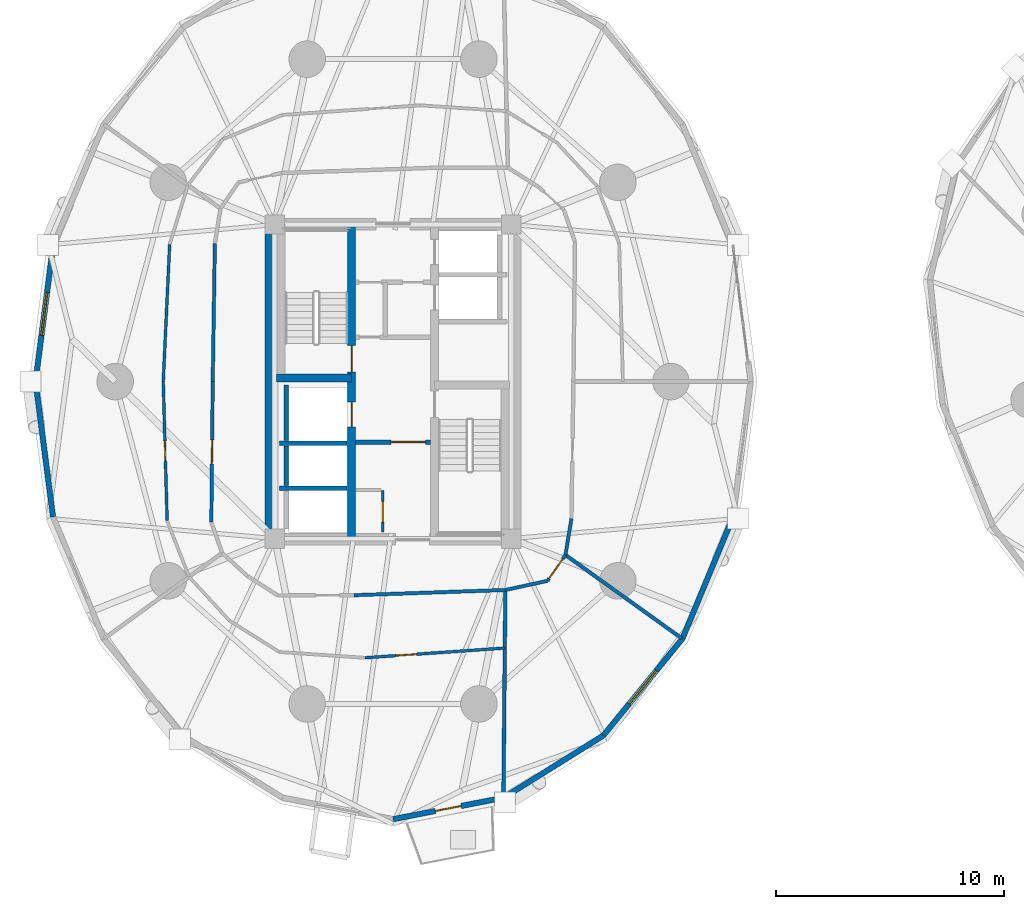
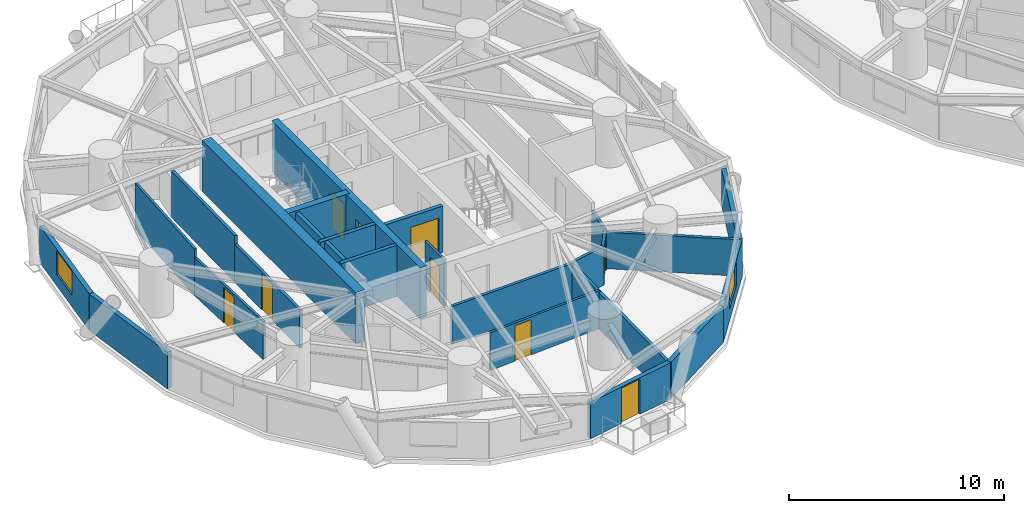
# One storey, part 10 of 18: 26 walls, 9 doors, 2 windows, 11 openings.
"""IFC4 building model written with IfcOpenShell, lengths in metres."""

from ifc_helpers import new_model, si_unit, direction, frame, frame_2d, origin, place, context, subcontext, project, spatial, rectangle, extrude, source, transform, mapped, material, layer, layer_set, type_object, element, fill, save


model = new_model("IFC4")

# Units and contexts
model_context = context("Model", 3, precision=1e-05, world=origin(), true_north=direction((0.0, 1.0)))
body_context = subcontext(model_context, "Body", "Model", "MODEL_VIEW")
ifc_project = project(units=[si_unit("LENGTHUNIT", "METRE"), si_unit("AREAUNIT", "SQUARE_METRE"), si_unit("VOLUMEUNIT", "CUBIC_METRE"), si_unit("PLANEANGLEUNIT", "RADIAN"), si_unit("MASSUNIT", "GRAM", prefix="KILO")], contexts=[model_context])

# Site, building, storey
site_placement = place(None, origin())
site = spatial("IfcSite", under=ifc_project, at=site_placement, CompositionType="ELEMENT")
building_placement = place(site_placement, origin())
building = spatial("IfcBuilding", under=site, at=building_placement, Name="Cununo Teusaquillo Station Towers", CompositionType="ELEMENT")
storey_placement = place(building_placement, frame((0.0, 0.0, 56.919921875)))
storey = spatial("IfcBuildingStorey", under=building, at=storey_placement, Name="L17", CompositionType="ELEMENT", Elevation=56.919921875)

# Walls
ifc_material_1 = material(Name="Concrete C50/60", Category="concrete")
ifc_layer_1 = layer(ifc_material_1, 0.199951171875)
ifc_layer_set_1 = layer_set([ifc_layer_1], Name="Concrete C50/60")
wall_type_1 = type_object("IfcWallType", Name="WL-CORE-200", PredefinedType="SHEAR", material=ifc_layer_set_1)
wall_1_placement = place(storey_placement, frame((11.52001953125, 21.800048828125, 0.0), z_axis=(0.0, 0.0, 1.0), x_axis=(1.0, 0.0, 0.0)))
element("IfcWall", 1, at=wall_1_placement, inside=storey, type_object=wall_type_1, Name="L17 Tower A Firefighting Lift Shaft South Shear Wall", PredefinedType="SHEAR", context=body_context, shape_type="SweptSolid", body=[
    extrude(rectangle(XDim=2.969970703125, YDim=0.199951171875, at=frame_2d((1.48486328125, 0.0))), origin(), (0.0, 0.0, 1.0), 2.91015625),
])
wall_2_placement = place(storey_placement, frame((11.820068359375, 21.919921875, 0.0), z_axis=(0.0, 0.0, 1.0), x_axis=(0.0, 1.0, 0.0)))
element("IfcWall", 2, at=wall_2_placement, inside=storey, type_object=wall_type_1, Name="L17 Tower A Firefighting Lift Shaft Rear Shear Wall", PredefinedType="SHEAR", context=body_context, shape_type="SweptSolid", body=[
    extrude(rectangle(XDim=2.440185546875, YDim=0.199951171875, at=frame_2d((1.22021484375, 0.0))), origin(), (0.0, 0.0, 1.0), 2.91015625),
])
wall_3_placement = place(storey_placement, frame((11.52001953125, 19.824951171875, 0.0), z_axis=(0.0, 0.0, 1.0), x_axis=(1.0, 0.0, 0.0)))
element("IfcWall", 3, at=wall_3_placement, inside=storey, type_object=wall_type_1, Name="L17 Tower A High-Rise Lift Hoistway Divider Shear Wall", PredefinedType="SHEAR", context=body_context, shape_type="SweptSolid", body=[
    extrude(rectangle(XDim=2.969970703125, YDim=0.199951171875, at=frame_2d((1.48486328125, 0.0))), origin(), (0.0, 0.0, 1.0), 2.91015625),
])
wall_4_placement = place(storey_placement, frame((11.820068359375, 19.945068359375, 0.0), z_axis=(0.0, 0.0, 1.0), x_axis=(0.0, 1.0, 0.0)))
element("IfcWall", 4, at=wall_4_placement, inside=storey, type_object=wall_type_1, Name="L17 Tower A High-Rise Lift 2 Shaft Rear Shear Wall", PredefinedType="SHEAR", context=body_context, shape_type="SweptSolid", body=[
    extrude(rectangle(XDim=1.73486328125, YDim=0.199951171875, at=frame_2d((0.867431640625, 0.0))), origin(), (0.0, 0.0, 1.0), 2.91015625),
])

# Wall, openings, doors
ifc_material_2 = material(Name="Concrete C50/60", Category="concrete")
ifc_layer_2 = layer(ifc_material_2, 0.35009765625)
ifc_layer_set_2 = layer_set([ifc_layer_2], Name="Concrete C50/60")
wall_type_2 = type_object("IfcWallType", Name="WL-CORE-350", PredefinedType="SHEAR", material=ifc_layer_set_2)
wall_5_placement = place(storey_placement, frame((14.68505859375, 17.60009765625, 0.0), z_axis=(0.0, 0.0, 1.0), x_axis=(0.0, 1.0, 0.0)))
wall_5 = element("IfcWall", 5, at=wall_5_placement, inside=storey, type_object=wall_type_2, Name="L17 Tower A Core Shear Wall IW", PredefinedType="SHEAR", context=body_context, shape_type="SweptSolid", body=[
    extrude(rectangle(XDim=13.7998046875, YDim=0.35009765625, at=frame_2d((6.89990234375, 0.0))), origin(), (0.0, 0.0, 1.0), 2.91015625),
])
shared_shape_1 = source(origin(), body_context, "Body", "SweptSolid", [
    extrude(rectangle(XDim=1.10009765625, YDim=2.014892578125, at=frame_2d((0.550048828125, 1.00732421875))), frame((0.0, 0.18505859375, 0.0), z_axis=(0.0, -1.0, 0.0), x_axis=(1.0, 0.0, 0.0)), (0.0, 0.0, 1.0), 0.3701171875),
])
opening_1_placement = place(wall_5_placement, frame((4.89990234375, 0.0, 0.0)))
opening_1 = element("IfcOpeningElement", 6, at=opening_1_placement, cuts=wall_5, Name="Opening LD-01", PredefinedType="OPENING", context=body_context, shape_type="MappedRepresentation", body=[
    mapped(shared_shape_1, transform((0.0, 0.0, 0.0), x_axis=(1.0, 0.0, 0.0), y_axis=(0.0, 1.0, 0.0), z_axis=(0.0, 0.0, 1.0), scale=1.0)),
])
shared_shape_2 = source(origin(), body_context, "Body", "SweptSolid", [
    extrude(rectangle(XDim=1.14990234375, YDim=2.02001953125, at=frame_2d((0.574951171875, 1.010009765625))), frame((0.0, 0.18505859375, 0.0), z_axis=(0.0, -1.0, 0.0), x_axis=(1.0, 0.0, 0.0)), (0.0, 0.0, 1.0), 0.3701171875),
])
opening_2_placement = place(wall_5_placement, frame((7.320068359375, 0.0, 0.0)))
opening_2 = element("IfcOpeningElement", 7, at=opening_2_placement, cuts=wall_5, Name="Opening D-ST1", PredefinedType="OPENING", context=body_context, shape_type="MappedRepresentation", body=[
    mapped(shared_shape_2, transform((0.0, 0.0, 0.0), x_axis=(1.0, 0.0, 0.0), y_axis=(0.0, 1.0, 0.0), z_axis=(0.0, 0.0, 1.0), scale=1.0)),
])
ifc_material_3 = material(Name="Galvanised fire-rated hollow steel door assembly", Category="steel")
door_type_1 = type_object("IfcDoorType", Name="DR-LIFT-1100", OperationType="SLIDING_TO_LEFT", PredefinedType="DOOR", material=ifc_material_3)
shared_shape_3 = source(origin(), body_context, "Body", "SweptSolid", [
    extrude(rectangle(XDim=1.10009765625, YDim=2.014892578125, at=frame_2d((0.550048828125, 1.00732421875))), frame((0.0, 0.02490234375, 0.0), z_axis=(0.0, -1.0, 0.0), x_axis=(1.0, 0.0, 0.0)), (0.0, 0.0, 1.0), 0.050048828125),
])
door_1_placement = place(opening_1_placement, origin())
door_1 = element("IfcDoor", 8, at=door_1_placement, inside=storey, type_object=door_type_1, Name="L17 Lift FL-T1 Sliding Landing Door", OperationType="SLIDING_TO_RIGHT", OverallHeight=2.014892578125, OverallWidth=1.10009765625, PredefinedType="DOOR", context=body_context, shape_type="MappedRepresentation", body=[
    mapped(shared_shape_3, transform((0.0, 0.0, 0.0), x_axis=(1.0, 0.0, 0.0), y_axis=(0.0, 1.0, 0.0), z_axis=(0.0, 0.0, 1.0), scale=1.0)),
])
fill(opening_1, door_1)
ifc_material_4 = material(Name="Galvanised fire-rated hollow steel door assembly", Category="steel")
door_type_2 = type_object("IfcDoorType", Name="DR-STAIR-1150", OperationType="NOTDEFINED", PredefinedType="DOOR", material=ifc_material_4)
shared_shape_4 = source(origin(), body_context, "Body", "SweptSolid", [
    extrude(rectangle(XDim=1.14990234375, YDim=2.02001953125, at=frame_2d((0.574951171875, 1.010009765625))), frame((0.0, 0.02490234375, 0.0), z_axis=(0.0, -1.0, 0.0), x_axis=(1.0, 0.0, 0.0)), (0.0, 0.0, 1.0), 0.050048828125),
])
door_2_placement = place(opening_2_placement, origin())
door_2 = element("IfcDoor", 9, at=door_2_placement, inside=storey, type_object=door_type_2, Name="L17 Tower A Exit Stair 1 Fire Door", OperationType="SINGLE_SWING_RIGHT", OverallHeight=2.02001953125, OverallWidth=1.14990234375, PredefinedType="DOOR", context=body_context, shape_type="MappedRepresentation", body=[
    mapped(shared_shape_4, transform((0.0, 0.0, 0.0), x_axis=(1.0, 0.0, 0.0), y_axis=(0.0, 1.0, 0.0), z_axis=(0.0, 0.0, 1.0), scale=1.0)),
])
fill(opening_2, door_2)

# Walls
wall_6_placement = place(storey_placement, frame((11.39990234375, 24.655029296875, 0.0), z_axis=(0.0, 0.0, 1.0), x_axis=(1.0, 0.0, 0.0)))
element("IfcWall", 10, at=wall_6_placement, inside=storey, type_object=wall_type_2, Name="L17 Tower A Core Shear Wall ST1S", PredefinedType="SHEAR", context=body_context, shape_type="SweptSolid", body=[
    extrude(rectangle(XDim=3.28515625, YDim=0.35009765625, at=frame_2d((1.642578125, 0.0))), origin(), (0.0, 0.0, 1.0), 2.91015625),
])
ifc_material_5 = material(Name="Concrete C60/75", Category="concrete")
ifc_layer_3 = layer(ifc_material_5, 0.5)
ifc_layer_set_3 = layer_set([ifc_layer_3], Name="Concrete C60/75")
wall_type_3 = type_object("IfcWallType", Name="WL-CORE-500", PredefinedType="SHEAR", material=ifc_layer_set_3)
wall_7_placement = place(storey_placement, frame((11.14990234375, 17.35009765625, 0.0), z_axis=(0.0, 0.0, 1.0), x_axis=(0.0, 1.0, 0.0)))
element("IfcWall", 11, at=wall_7_placement, inside=storey, type_object=wall_type_3, Name="L17 Tower A Core Shear Wall W", PredefinedType="SHEAR", context=body_context, shape_type="SweptSolid", body=[
    extrude(rectangle(XDim=14.2998046875, YDim=0.5, at=frame_2d((7.14990234375, 0.0))), origin(), (0.0, 0.0, 1.0), 2.91015625),
])

# Wall, opening, window
ifc_material_6 = material(Name="Precast concrete C40/50", Category="concrete")
ifc_layer_4 = layer(ifc_material_6, 0.239990234375)
ifc_layer_set_4 = layer_set([ifc_layer_4], Name="Precast concrete C40/50")
wall_type_4 = type_object("IfcWallType", Name="WL-EXT-240", PredefinedType="SOLIDWALL", material=ifc_layer_set_4)
wall_8_placement = place(storey_placement, frame((0.8369140625, 24.5, 0.0), z_axis=(0.0, 0.0, 1.0), x_axis=(0.128339641463, 0.991730274031, 0.0)))
wall_8 = element("IfcWall", 12, at=wall_8_placement, inside=storey, type_object=wall_type_4, Name="L17 Tower A Exterior Facade Wall C09", PredefinedType="SOLIDWALL", context=body_context, shape_type="SweptSolid", body=[
    extrude(rectangle(XDim=5.97314453125, YDim=0.239990234375, at=frame_2d((2.986572265625, 0.0))), origin(), (0.0, 0.0, 1.0), 2.072998046875),
])
shared_shape_5 = source(origin(), body_context, "Body", "SweptSolid", [
    extrude(rectangle(XDim=1.89990234375, YDim=1.35009765625, at=frame_2d((0.949951171875, 0.675048828125))), frame((0.0, 0.1298828125, 0.0), z_axis=(0.0, -1.0, 0.0), x_axis=(1.0, 0.0, 0.0)), (0.0, 0.0, 1.0), 0.260009765625),
])
opening_3_placement = place(wall_8_placement, frame((2.037109375, 0.0, 0.64990234375)))
opening_3 = element("IfcOpeningElement", 13, at=opening_3_placement, cuts=wall_8, Name="Opening WN-02", PredefinedType="OPENING", context=body_context, shape_type="MappedRepresentation", body=[
    mapped(shared_shape_5, transform((0.0, 0.0, 0.0), x_axis=(1.0, 0.0, 0.0), y_axis=(0.0, 1.0, 0.0), z_axis=(0.0, 0.0, 1.0), scale=1.0)),
])
ifc_material_7 = material(Name="Operable acoustic tinted low-E double glazing", Category="glass")
window_type = type_object("IfcWindowType", Name="WIN-OPER-1900", PartitioningType="DOUBLE_PANEL_VERTICAL", PredefinedType="WINDOW", material=ifc_material_7)
shared_shape_6 = source(origin(), body_context, "Body", "SweptSolid", [
    extrude(rectangle(XDim=1.89990234375, YDim=1.35009765625, at=frame_2d((0.949951171875, 0.675048828125))), frame((0.0, 0.030029296875, 0.0), z_axis=(0.0, -1.0, 0.0), x_axis=(1.0, 0.0, 0.0)), (0.0, 0.0, 1.0), 0.06005859375),
])
window_1_placement = place(opening_3_placement, origin())
window_1 = element("IfcWindow", 14, at=window_1_placement, inside=storey, type_object=window_type, Name="L17 Tower A Facade Window C09", OverallHeight=1.35009765625, OverallWidth=1.89990234375, PartitioningType="DOUBLE_PANEL_VERTICAL", PredefinedType="WINDOW", context=body_context, shape_type="MappedRepresentation", body=[
    mapped(shared_shape_6, transform((0.0, 0.0, 0.0), x_axis=(1.0, 0.0, 0.0), y_axis=(0.0, 1.0, 0.0), z_axis=(0.0, 0.0, 1.0), scale=1.0)),
])
fill(opening_3, window_1)

# Wall
wall_9_placement = place(storey_placement, frame((1.603515625, 18.576171875, 0.0), z_axis=(0.0, 0.0, 1.0), x_axis=(-0.128339641463, 0.991730274031, 0.0)))
element("IfcWall", 15, at=wall_9_placement, inside=storey, type_object=wall_type_4, Name="L17 Tower A Exterior Facade Wall C10", PredefinedType="SOLIDWALL", context=body_context, shape_type="SweptSolid", body=[
    extrude(rectangle(XDim=5.97314453125, YDim=0.239990234375, at=frame_2d((2.986572265625, 0.0))), origin(), (0.0, 0.0, 1.0), 2.072998046875),
])

# Wall, opening, door
wall_10_placement = place(storey_placement, frame((21.340087890625, 6.268310546875, 0.0), z_axis=(0.0, 0.0, 1.0), x_axis=(-0.981725274071, -0.190303668512, 0.0)))
wall_10 = element("IfcWall", 16, at=wall_10_placement, inside=storey, type_object=wall_type_4, Name="L17 Tower A Exterior Facade Wall C15", PredefinedType="SOLIDWALL", context=body_context, shape_type="SweptSolid", body=[
    extrude(rectangle(XDim=4.93017578125, YDim=0.239990234375, at=frame_2d((2.465087890625, 0.0))), origin(), (0.0, 0.0, 1.0), 2.072998046875),
])
shared_shape_7 = source(origin(), body_context, "Body", "SweptSolid", [
    extrude(rectangle(XDim=1.14990234375, YDim=2.0048828125, at=frame_2d((0.574951171875, 1.00244140625))), frame((0.0, 0.1298828125, 0.0), z_axis=(0.0, -1.0, 0.0), x_axis=(1.0, 0.0, 0.0)), (0.0, 0.0, 1.0), 0.260009765625),
])
opening_4_placement = place(wall_10_placement, frame((1.889892578125, 0.0, 0.0)))
opening_4 = element("IfcOpeningElement", 17, at=opening_4_placement, cuts=wall_10, Name="Opening ED-03", PredefinedType="OPENING", context=body_context, shape_type="MappedRepresentation", body=[
    mapped(shared_shape_7, transform((0.0, 0.0, 0.0), x_axis=(1.0, 0.0, 0.0), y_axis=(0.0, 1.0, 0.0), z_axis=(0.0, 0.0, 1.0), scale=1.0)),
])
ifc_material_8 = material(Name="Anodised dark bronze aluminium EN AW-6063-T6", Category="aluminium")
door_type_3 = type_object("IfcDoorType", Name="DR-EXT-BAL", OperationType="NOTDEFINED", PredefinedType="DOOR", material=ifc_material_8)
shared_shape_8 = source(origin(), body_context, "Body", "SweptSolid", [
    extrude(rectangle(XDim=1.14990234375, YDim=2.0048828125, at=frame_2d((0.574951171875, 1.00244140625))), frame((0.0, 0.02490234375, 0.0), z_axis=(0.0, -1.0, 0.0), x_axis=(1.0, 0.0, 0.0)), (0.0, 0.0, 1.0), 0.050048828125),
])
door_3_placement = place(opening_4_placement, origin())
door_3 = element("IfcDoor", 18, at=door_3_placement, inside=storey, type_object=door_type_3, Name="L17 Tower A Tree Balcony Door C15", OperationType="SINGLE_SWING_LEFT", OverallHeight=2.0048828125, OverallWidth=1.14990234375, PredefinedType="DOOR", context=body_context, shape_type="MappedRepresentation", body=[
    mapped(shared_shape_8, transform((0.0, 0.0, 0.0), x_axis=(1.0, 0.0, 0.0), y_axis=(0.0, 1.0, 0.0), z_axis=(0.0, 0.0, 1.0), scale=1.0)),
])
fill(opening_4, door_3)

# Wall
wall_11_placement = place(storey_placement, frame((25.70654296875, 8.9912109375, 0.0), z_axis=(0.0, 0.0, 1.0), x_axis=(-0.848533613342, -0.529141481107, 0.0)))
element("IfcWall", 19, at=wall_11_placement, inside=storey, type_object=wall_type_4, Name="L17 Tower A Exterior Facade Wall C16", PredefinedType="SOLIDWALL", context=body_context, shape_type="SweptSolid", body=[
    extrude(rectangle(XDim=5.14599609375, YDim=0.239990234375, at=frame_2d((2.572998046875, 0.0))), origin(), (0.0, 0.0, 1.0), 2.072998046875),
])

# Wall, opening, window
wall_12_placement = place(storey_placement, frame((29.171630859375, 13.232177734375, 0.0), z_axis=(0.0, 0.0, 1.0), x_axis=(-0.632713287022, -0.77438614168, 0.0)))
wall_12 = element("IfcWall", 20, at=wall_12_placement, inside=storey, type_object=wall_type_4, Name="L17 Tower A Exterior Facade Wall C17", PredefinedType="SOLIDWALL", context=body_context, shape_type="SweptSolid", body=[
    extrude(rectangle(XDim=5.4765625, YDim=0.239990234375, at=frame_2d((2.73828125, 0.0))), origin(), (0.0, 0.0, 1.0), 2.072998046875),
])
opening_5_placement = place(wall_12_placement, frame((1.7880859375, 0.0, 0.64990234375)))
opening_5 = element("IfcOpeningElement", 21, at=opening_5_placement, cuts=wall_12, Name="Opening WN-02", PredefinedType="OPENING", context=body_context, shape_type="MappedRepresentation", body=[
    mapped(shared_shape_5, transform((0.0, 0.0, 0.0), x_axis=(1.0, 0.0, 0.0), y_axis=(0.0, 1.0, 0.0), z_axis=(0.0, 0.0, 1.0), scale=1.0)),
])
window_2_placement = place(opening_5_placement, origin())
window_2 = element("IfcWindow", 22, at=window_2_placement, inside=storey, type_object=window_type, Name="L17 Tower A Facade Window C17", OverallHeight=1.35009765625, OverallWidth=1.89990234375, PartitioningType="DOUBLE_PANEL_VERTICAL", PredefinedType="WINDOW", context=body_context, shape_type="MappedRepresentation", body=[
    mapped(shared_shape_6, transform((0.0, 0.0, 0.0), x_axis=(1.0, 0.0, 0.0), y_axis=(0.0, 1.0, 0.0), z_axis=(0.0, 0.0, 1.0), scale=1.0)),
])
fill(opening_5, window_2)

# Wall
wall_13_placement = place(storey_placement, frame((31.396484375, 18.576171875, 0.0), z_axis=(0.0, 0.0, 1.0), x_axis=(-0.384348836956, -0.923187939442, 0.0)))
element("IfcWall", 23, at=wall_13_placement, inside=storey, type_object=wall_type_4, Name="L17 Tower A Exterior Facade Wall C18", PredefinedType="SOLIDWALL", context=body_context, shape_type="SweptSolid", body=[
    extrude(rectangle(XDim=5.78857421875, YDim=0.239990234375, at=frame_2d((2.894287109375, 0.0))), origin(), (0.0, 0.0, 1.0), 2.072998046875),
])

# Wall, opening, door
ifc_material_9 = material(Name="Fire-rated gypsum plasterboard partition assembly", Category="gypsum")
ifc_layer_5 = layer(ifc_material_9, 0.125)
ifc_layer_set_5 = layer_set([ifc_layer_5], Name="Fire-rated gypsum plasterboard partition assembly")
wall_type_5 = type_object("IfcWallType", Name="WL-PART-125", PredefinedType="PARTITIONING", material=ifc_layer_set_5)
wall_14_placement = place(storey_placement, frame((16.050048828125, 17.919921875, 0.0), z_axis=(0.0, 0.0, 1.0), x_axis=(0.0, 1.0, 0.0)))
wall_14 = element("IfcWall", 24, at=wall_14_placement, inside=storey, type_object=wall_type_5, Name="L17 Tower A South-West Compact Store East Wall", PredefinedType="PARTITIONING", context=body_context, shape_type="SweptSolid", body=[
    extrude(rectangle(XDim=1.800048828125, YDim=0.125, at=frame_2d((0.89990234375, 0.0))), origin(), (0.0, 0.0, 1.0), 2.635009765625),
])
shared_shape_9 = source(origin(), body_context, "Body", "SweptSolid", [
    extrude(rectangle(XDim=0.89990234375, YDim=2.0048828125, at=frame_2d((0.449951171875, 1.00244140625))), frame((0.0, 0.072509765625, 0.0), z_axis=(0.0, -1.0, 0.0), x_axis=(1.0, 0.0, 0.0)), (0.0, 0.0, 1.0), 0.14501953125),
])
opening_6_placement = place(wall_14_placement, frame((0.419921875, 0.0, 0.0)))
opening_6 = element("IfcOpeningElement", 25, at=opening_6_placement, cuts=wall_14, Name="Opening D-SR1", PredefinedType="OPENING", context=body_context, shape_type="MappedRepresentation", body=[
    mapped(shared_shape_9, transform((0.0, 0.0, 0.0), x_axis=(1.0, 0.0, 0.0), y_axis=(0.0, 1.0, 0.0), z_axis=(0.0, 0.0, 1.0), scale=1.0)),
])
ifc_material_10 = material(Name="Galvanised fire-rated hollow steel door assembly", Category="steel")
door_type_4 = type_object("IfcDoorType", Name="DR-STORE-900", OperationType="NOTDEFINED", PredefinedType="DOOR", material=ifc_material_10)
shared_shape_10 = source(origin(), body_context, "Body", "SweptSolid", [
    extrude(rectangle(XDim=0.89990234375, YDim=2.0048828125, at=frame_2d((0.449951171875, 1.00244140625))), frame((0.0, 0.02490234375, 0.0), z_axis=(0.0, -1.0, 0.0), x_axis=(1.0, 0.0, 0.0)), (0.0, 0.0, 1.0), 0.050048828125),
])
door_4_placement = place(opening_6_placement, origin())
door_4 = element("IfcDoor", 26, at=door_4_placement, inside=storey, type_object=door_type_4, Name="L17 Tower A Core Electrical & Comms Store Door", OperationType="SINGLE_SWING_RIGHT", OverallHeight=2.0048828125, OverallWidth=0.89990234375, PredefinedType="DOOR", context=body_context, shape_type="MappedRepresentation", body=[
    mapped(shared_shape_10, transform((0.0, 0.0, 0.0), x_axis=(1.0, 0.0, 0.0), y_axis=(0.0, 1.0, 0.0), z_axis=(0.0, 0.0, 1.0), scale=1.0)),
])
fill(opening_6, door_4)

# Wall
wall_15_placement = place(storey_placement, frame((6.713134765625, 30.5087890625, 0.0), z_axis=(0.0, 0.0, 1.0), x_axis=(-0.046755247216, -0.998906375422, 0.0)))
element("IfcWall", 27, at=wall_15_placement, inside=storey, type_object=wall_type_5, Name="L17 Tower A Hotel Concierge & Library Club Concentric Partition Wall C09", PredefinedType="PARTITIONING", context=body_context, shape_type="SweptSolid", body=[
    extrude(rectangle(XDim=6.015380859375, YDim=0.125, at=frame_2d((3.0078125, 0.0))), origin(), (0.0, 0.0, 1.0), 2.635009765625),
])

# Wall, opening, door
wall_16_placement = place(storey_placement, frame((6.431884765625, 24.5, 0.0), z_axis=(0.0, 0.0, 1.0), x_axis=(0.027874896751, -0.999611419568, 0.0)))
wall_16 = element("IfcWall", 28, at=wall_16_placement, inside=storey, type_object=wall_type_5, Name="L17 Tower A Hotel Concierge & Library Club Concentric Partition Wall C10", PredefinedType="PARTITIONING", context=body_context, shape_type="SweptSolid", body=[
    extrude(rectangle(XDim=6.095947265625, YDim=0.125, at=frame_2d((3.0478515625, 0.0))), origin(), (0.0, 0.0, 1.0), 2.1591796875),
])
opening_7_placement = place(wall_16_placement, frame((2.597900390625, 0.0, 0.0)))
opening_7 = element("IfcOpeningElement", 29, at=opening_7_placement, cuts=wall_16, Name="Opening D-IN1", PredefinedType="OPENING", context=body_context, shape_type="MappedRepresentation", body=[
    mapped(shared_shape_9, transform((0.0, 0.0, 0.0), x_axis=(1.0, 0.0, 0.0), y_axis=(0.0, 1.0, 0.0), z_axis=(0.0, 0.0, 1.0), scale=1.0)),
])
ifc_material_11 = material(Name="Acoustic solid-core hardwood leaf assembly", Category="wood")
door_type_5 = type_object("IfcDoorType", Name="DR-INT-900", OperationType="NOTDEFINED", PredefinedType="DOOR", material=ifc_material_11)
door_5_placement = place(opening_7_placement, origin())
door_5 = element("IfcDoor", 30, at=door_5_placement, inside=storey, type_object=door_type_5, Name="L17 Tower A Hotel Concierge & Library Club Connecting Door", OperationType="SINGLE_SWING_LEFT", OverallHeight=2.0048828125, OverallWidth=0.89990234375, PredefinedType="DOOR", context=body_context, shape_type="MappedRepresentation", body=[
    mapped(shared_shape_10, transform((0.0, 0.0, 0.0), x_axis=(1.0, 0.0, 0.0), y_axis=(0.0, 1.0, 0.0), z_axis=(0.0, 0.0, 1.0), scale=1.0)),
])
fill(opening_7, door_5)

wall_17_placement = place(storey_placement, frame((15.26220703125, 12.399169921875, 0.0), z_axis=(0.0, 0.0, 1.0), x_axis=(0.997584901562, 0.069457643027, 0.0)))
wall_17 = element("IfcWall", 31, at=wall_17_placement, inside=storey, type_object=wall_type_5, Name="L17 Tower A Hotel Executive Conference Salon Concentric Partition Wall C15", PredefinedType="PARTITIONING", context=body_context, shape_type="SweptSolid", body=[
    extrude(rectangle(XDim=6.147705078125, YDim=0.125, at=frame_2d((3.07373046875, 0.0))), origin(), (0.0, 0.0, 1.0), 2.1591796875),
])
opening_8_placement = place(wall_17_placement, frame((1.371826171875, 0.0, 0.0)))
opening_8 = element("IfcOpeningElement", 32, at=opening_8_placement, cuts=wall_17, Name="Opening D-IN1", PredefinedType="OPENING", context=body_context, shape_type="MappedRepresentation", body=[
    mapped(shared_shape_9, transform((0.0, 0.0, 0.0), x_axis=(1.0, 0.0, 0.0), y_axis=(0.0, 1.0, 0.0), z_axis=(0.0, 0.0, 1.0), scale=1.0)),
])
door_6_placement = place(opening_8_placement, origin())
door_6 = element("IfcDoor", 33, at=door_6_placement, inside=storey, type_object=door_type_5, Name="L17 Tower A Hotel Executive Conference Salon Connecting Door", OperationType="SINGLE_SWING_LEFT", OverallHeight=2.0048828125, OverallWidth=0.89990234375, PredefinedType="DOOR", context=body_context, shape_type="MappedRepresentation", body=[
    mapped(shared_shape_10, transform((0.0, 0.0, 0.0), x_axis=(1.0, 0.0, 0.0), y_axis=(0.0, 1.0, 0.0), z_axis=(0.0, 0.0, 1.0), scale=1.0)),
])
fill(opening_8, door_6)

# Wall
ifc_material_12 = material(Name="Fire-rated gypsum plasterboard partition assembly", Category="gypsum")
ifc_layer_6 = layer(ifc_material_12, 0.14990234375)
ifc_layer_set_6 = layer_set([ifc_layer_6], Name="Fire-rated gypsum plasterboard partition assembly")
wall_type_6 = type_object("IfcWallType", Name="WL-PART-150", PredefinedType="PARTITIONING", material=ifc_layer_set_6)
wall_18_placement = place(storey_placement, frame((8.692626953125, 30.544189453125, 0.0), z_axis=(0.0, 0.0, 1.0), x_axis=(-0.015307007986, -0.99988284089, 0.0)))
element("IfcWall", 34, at=wall_18_placement, inside=storey, type_object=wall_type_6, Name="L17 Tower A Corridor Ring Wall C09", PredefinedType="PARTITIONING", context=body_context, shape_type="SweptSolid", body=[
    extrude(rectangle(XDim=6.044921875, YDim=0.14990234375, at=frame_2d((3.0224609375, 0.0))), origin(), (0.0, 0.0, 1.0), 2.635009765625),
])

# Wall, opening, door
wall_19_placement = place(storey_placement, frame((8.60009765625, 24.5, 0.0), z_axis=(0.0, 0.0, 1.0), x_axis=(-0.010023665349, -0.999949761805, 0.0)))
wall_19 = element("IfcWall", 35, at=wall_19_placement, inside=storey, type_object=wall_type_6, Name="L17 Tower A Corridor Ring Wall C10", PredefinedType="PARTITIONING", context=body_context, shape_type="SweptSolid", body=[
    extrude(rectangle(XDim=6.162109375, YDim=0.14990234375, at=frame_2d((3.0810546875, 0.0))), origin(), (0.0, 0.0, 1.0), 2.1591796875),
])
shared_shape_11 = source(origin(), body_context, "Body", "SweptSolid", [
    extrude(rectangle(XDim=1.050048828125, YDim=2.014892578125, at=frame_2d((0.52490234375, 1.00732421875))), frame((0.0, 0.0849609375, 0.0), z_axis=(0.0, -1.0, 0.0), x_axis=(1.0, 0.0, 0.0)), (0.0, 0.0, 1.0), 0.169921875),
])
opening_9_placement = place(wall_19_placement, frame((2.55615234375, 0.0, 0.0)))
opening_9 = element("IfcOpeningElement", 36, at=opening_9_placement, cuts=wall_19, Name="Opening D-SU1", PredefinedType="OPENING", context=body_context, shape_type="MappedRepresentation", body=[
    mapped(shared_shape_11, transform((0.0, 0.0, 0.0), x_axis=(1.0, 0.0, 0.0), y_axis=(0.0, 1.0, 0.0), z_axis=(0.0, 0.0, 1.0), scale=1.0)),
])
ifc_material_13 = material(Name="Acoustic solid-core hardwood leaf assembly", Category="wood")
door_type_6 = type_object("IfcDoorType", Name="DR-SUITE-1050", OperationType="NOTDEFINED", PredefinedType="DOOR", material=ifc_material_13)
shared_shape_12 = source(origin(), body_context, "Body", "SweptSolid", [
    extrude(rectangle(XDim=1.050048828125, YDim=2.014892578125, at=frame_2d((0.52490234375, 1.00732421875))), frame((0.0, 0.02490234375, 0.0), z_axis=(0.0, -1.0, 0.0), x_axis=(1.0, 0.0, 0.0)), (0.0, 0.0, 1.0), 0.050048828125),
])
door_7_placement = place(opening_9_placement, origin())
door_7 = element("IfcDoor", 37, at=door_7_placement, inside=storey, type_object=door_type_6, Name="L17 Tower A Hotel Concierge & Library Club Entrance Door", OperationType="SINGLE_SWING_RIGHT", OverallHeight=2.014892578125, OverallWidth=1.050048828125, PredefinedType="DOOR", context=body_context, shape_type="MappedRepresentation", body=[
    mapped(shared_shape_12, transform((0.0, 0.0, 0.0), x_axis=(1.0, 0.0, 0.0), y_axis=(0.0, 1.0, 0.0), z_axis=(0.0, 0.0, 1.0), scale=1.0)),
])
fill(opening_9, door_7)

# Walls
wall_20_placement = place(storey_placement, frame((14.781005859375, 15.140625, 0.0), z_axis=(0.0, 0.0, 1.0), x_axis=(0.999407918707, 0.034406569513, 0.0)))
element("IfcWall", 38, at=wall_20_placement, inside=storey, type_object=wall_type_6, Name="L17 Tower A Corridor Ring Wall C15", PredefinedType="PARTITIONING", context=body_context, shape_type="SweptSolid", body=[
    extrude(rectangle(XDim=6.6416015625, YDim=0.14990234375, at=frame_2d((3.32080078125, 0.0))), origin(), (0.0, 0.0, 1.0), 2.1591796875),
])
wall_21_placement = place(storey_placement, frame((21.418701171875, 15.369140625, 0.0), z_axis=(0.0, 0.0, 1.0), x_axis=(0.977192701953, 0.212354475464, 0.0)))
element("IfcWall", 39, at=wall_21_placement, inside=storey, type_object=wall_type_6, Name="L17 Tower A Corridor Ring Wall C16", PredefinedType="PARTITIONING", context=body_context, shape_type="SweptSolid", body=[
    extrude(rectangle(XDim=1.8876953125, YDim=0.14990234375, at=frame_2d((0.94384765625, 0.0))), origin(), (0.0, 0.0, 1.0), 2.205078125),
])

# Wall, opening, door
wall_22_placement = place(storey_placement, frame((23.263427734375, 15.77001953125, 0.0), z_axis=(0.0, 0.0, 1.0), x_axis=(0.570743456919, 0.821128434768, 0.0)))
wall_22 = element("IfcWall", 40, at=wall_22_placement, inside=storey, type_object=wall_type_6, Name="L17 Tower A Corridor Ring Wall C17", PredefinedType="PARTITIONING", context=body_context, shape_type="SweptSolid", body=[
    extrude(rectangle(XDim=1.381591796875, YDim=0.14990234375, at=frame_2d((0.69091796875, 0.0))), origin(), (0.0, 0.0, 1.0), 2.1591796875),
])
opening_10_placement = place(wall_22_placement, frame((0.1201171875, 0.0, 0.0)))
opening_10 = element("IfcOpeningElement", 41, at=opening_10_placement, cuts=wall_22, Name="Opening D-SU1", PredefinedType="OPENING", context=body_context, shape_type="MappedRepresentation", body=[
    mapped(shared_shape_11, transform((0.0, 0.0, 0.0), x_axis=(1.0, 0.0, 0.0), y_axis=(0.0, 1.0, 0.0), z_axis=(0.0, 0.0, 1.0), scale=1.0)),
])
door_8_placement = place(opening_10_placement, origin())
door_8 = element("IfcDoor", 42, at=door_8_placement, inside=storey, type_object=door_type_6, Name="L17 Tower A Hotel Housekeeping & Linen Pantry Entrance Door", OperationType="SINGLE_SWING_RIGHT", OverallHeight=2.014892578125, OverallWidth=1.050048828125, PredefinedType="DOOR", context=body_context, shape_type="MappedRepresentation", body=[
    mapped(shared_shape_12, transform((0.0, 0.0, 0.0), x_axis=(1.0, 0.0, 0.0), y_axis=(0.0, 1.0, 0.0), z_axis=(0.0, 0.0, 1.0), scale=1.0)),
])
fill(opening_10, door_8)

# Walls
wall_23_placement = place(storey_placement, frame((24.052001953125, 16.904541015625, 0.0), z_axis=(0.0, 0.0, 1.0), x_axis=(0.162091534225, 0.986775726562, 0.0)))
element("IfcWall", 43, at=wall_23_placement, inside=storey, type_object=wall_type_6, Name="L17 Tower A Corridor Ring Wall C18", PredefinedType="PARTITIONING", context=body_context, shape_type="SweptSolid", body=[
    extrude(rectangle(XDim=1.613037109375, YDim=0.14990234375, at=frame_2d((0.806640625, 0.0))), origin(), (0.0, 0.0, 1.0), 2.205078125),
])
ifc_material_14 = material(Name="Fire-rated gypsum plasterboard partition assembly", Category="gypsum")
ifc_layer_7 = layer(ifc_material_14, 0.159912109375)
ifc_layer_set_7 = layer_set([ifc_layer_7], Name="Fire-rated gypsum plasterboard partition assembly")
wall_type_7 = type_object("IfcWallType", Name="WL-PART-160", PredefinedType="PARTITIONING", material=ifc_layer_set_7)
wall_24_placement = place(storey_placement, frame((21.418701171875, 15.369140625, 0.0), z_axis=(0.0, 0.0, 1.0), x_axis=(-0.009327801925, -0.999956495109, 0.0)))
element("IfcWall", 44, at=wall_24_placement, inside=storey, type_object=wall_type_7, Name="L17 Tower A Radial Suite Partition R05", PredefinedType="PARTITIONING", context=body_context, shape_type="SweptSolid", body=[
    extrude(rectangle(XDim=9.082275390625, YDim=0.159912109375, at=frame_2d((4.541015625, 0.0))), origin(), (0.0, 0.0, 1.0), 2.072998046875),
])
wall_25_placement = place(storey_placement, frame((24.052001953125, 16.904541015625, 0.0), z_axis=(0.0, 0.0, 1.0), x_axis=(0.812581474608, -0.582847619129, 0.0)))
element("IfcWall", 45, at=wall_25_placement, inside=storey, type_object=wall_type_7, Name="L17 Tower A Radial Suite Partition R06", PredefinedType="PARTITIONING", context=body_context, shape_type="SweptSolid", body=[
    extrude(rectangle(XDim=6.280517578125, YDim=0.159912109375, at=frame_2d((3.14013671875, 0.0))), origin(), (0.0, 0.0, 1.0), 2.072998046875),
])

# Wall, opening, door
ifc_material_15 = material(Name="Fire-rated gypsum plasterboard partition assembly", Category="gypsum")
ifc_layer_8 = layer(ifc_material_15, 0.199951171875)
ifc_layer_set_8 = layer_set([ifc_layer_8], Name="Fire-rated gypsum plasterboard partition assembly")
wall_type_8 = type_object("IfcWallType", Name="WL-PART-200", PredefinedType="PARTITIONING", material=ifc_layer_set_8)
wall_26_placement = place(storey_placement, frame((14.860107421875, 21.85009765625, 0.0), z_axis=(0.0, 0.0, 1.0), x_axis=(1.0, 0.0, 0.0)))
wall_26 = element("IfcWall", 46, at=wall_26_placement, inside=storey, type_object=wall_type_8, Name="L17 Tower A Firefighting Lift Lobby South Fire Wall", PredefinedType="PARTITIONING", context=body_context, shape_type="SweptSolid", body=[
    extrude(rectangle(XDim=3.27978515625, YDim=0.199951171875, at=frame_2d((1.639892578125, 0.0))), origin(), (0.0, 0.0, 1.0), 2.635009765625),
])
shared_shape_13 = source(origin(), body_context, "Body", "SweptSolid", [
    extrude(rectangle(XDim=1.5, YDim=2.02001953125, at=frame_2d((0.75, 1.010009765625))), frame((0.0, 0.10986328125, 0.0), z_axis=(0.0, -1.0, 0.0), x_axis=(1.0, 0.0, 0.0)), (0.0, 0.0, 1.0), 0.219970703125),
])
opening_11_placement = place(wall_26_placement, frame((1.550048828125, 0.0, 0.0)))
opening_11 = element("IfcOpeningElement", 47, at=opening_11_placement, cuts=wall_26, Name="Opening D-LB1", PredefinedType="OPENING", context=body_context, shape_type="MappedRepresentation", body=[
    mapped(shared_shape_13, transform((0.0, 0.0, 0.0), x_axis=(1.0, 0.0, 0.0), y_axis=(0.0, 1.0, 0.0), z_axis=(0.0, 0.0, 1.0), scale=1.0)),
])
ifc_material_16 = material(Name="Galvanised fire-rated hollow steel door assembly", Category="steel")
door_type_7 = type_object("IfcDoorType", Name="DR-LOBBY-1500", OperationType="DOUBLE_DOOR_SINGLE_SWING", PredefinedType="DOOR", material=ifc_material_16)
shared_shape_14 = source(origin(), body_context, "Body", "SweptSolid", [
    extrude(rectangle(XDim=1.5, YDim=2.02001953125, at=frame_2d((0.75, 1.010009765625))), frame((0.0, 0.02490234375, 0.0), z_axis=(0.0, -1.0, 0.0), x_axis=(1.0, 0.0, 0.0)), (0.0, 0.0, 1.0), 0.050048828125),
])
door_9_placement = place(opening_11_placement, origin())
door_9 = element("IfcDoor", 48, at=door_9_placement, inside=storey, type_object=door_type_7, Name="L17 Tower A Firefighting Lift Lobby South Fire Door", OperationType="DOUBLE_DOOR_SINGLE_SWING", OverallHeight=2.02001953125, OverallWidth=1.5, PredefinedType="DOOR", context=body_context, shape_type="MappedRepresentation", body=[
    mapped(shared_shape_14, transform((0.0, 0.0, 0.0), x_axis=(1.0, 0.0, 0.0), y_axis=(0.0, 1.0, 0.0), z_axis=(0.0, 0.0, 1.0), scale=1.0)),
])
fill(opening_11, door_9)

save(model, "model.ifc")
